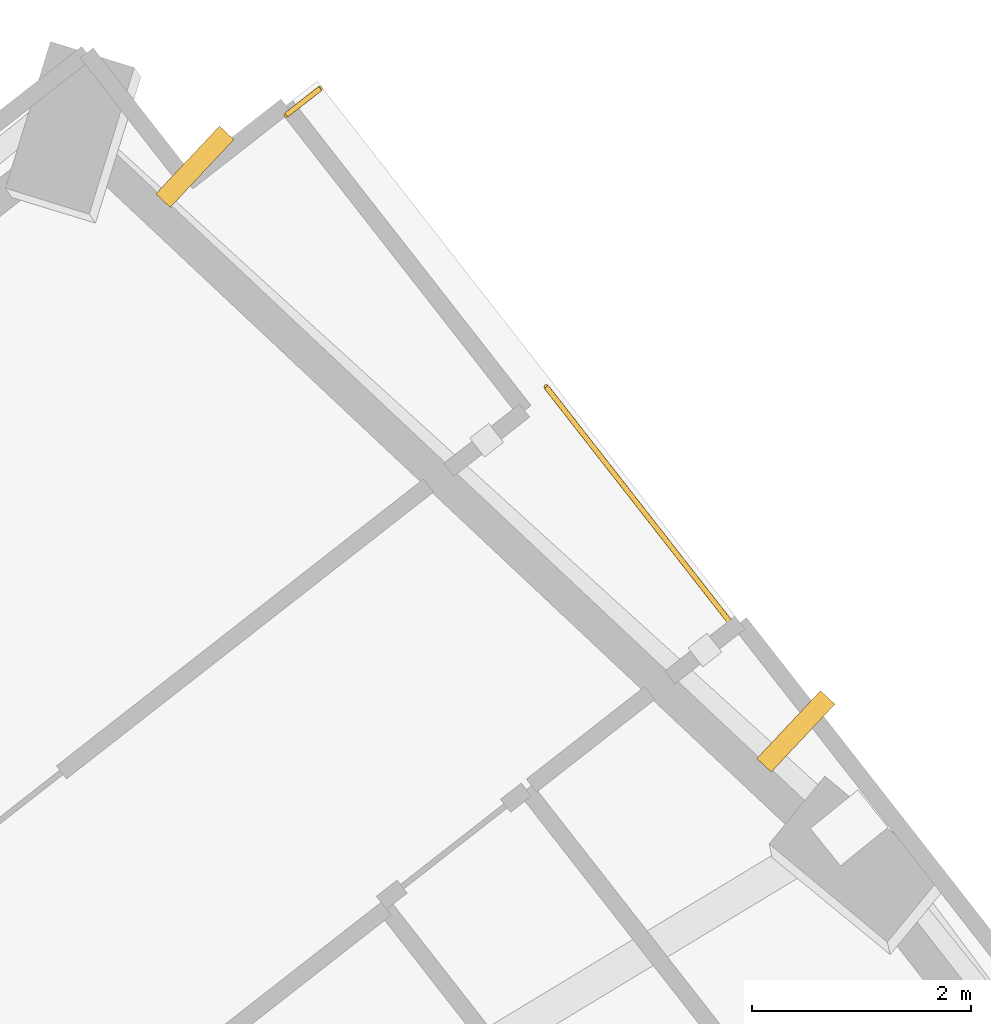
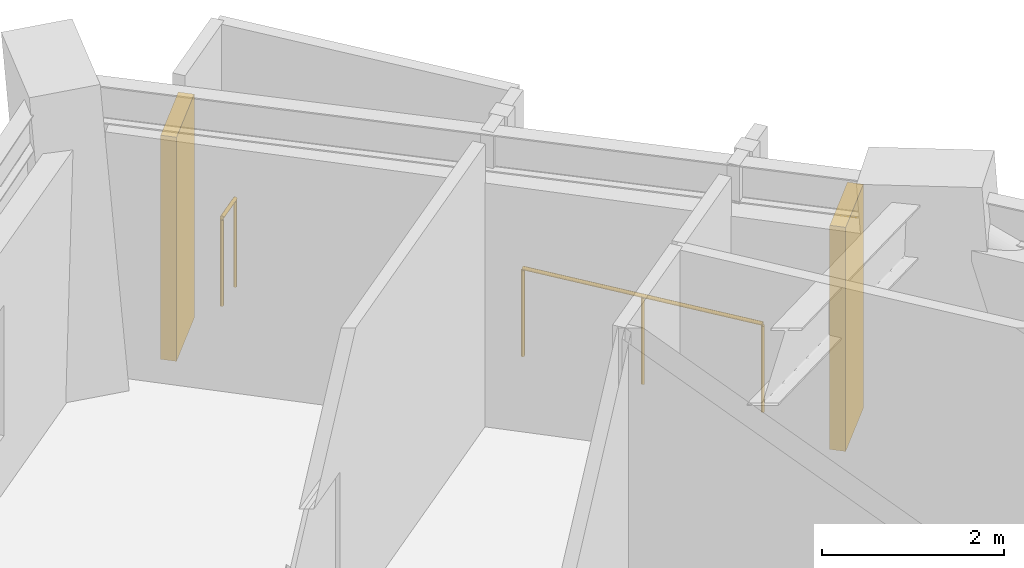
# One storey, part 14 of 14: 2 railings, 2 shading devices.
"""IFC4 building model written with IfcOpenShell, lengths in metres."""

from ifc_helpers import new_model, si_unit, direction, frame, origin, origin_2d, place, context, subcontext, project, spatial, rectangle, circle, extrude, material, layer, layer_set, type_object, element, save


model = new_model("IFC4")

# Units and contexts
model_context = context("Model", 3, precision=1e-05, world=origin(), true_north=direction((0.0, 1.0)))
body_context = subcontext(model_context, "Body", "Model", "MODEL_VIEW")
ifc_project = project(units=[si_unit("LENGTHUNIT", "METRE"), si_unit("AREAUNIT", "SQUARE_METRE"), si_unit("VOLUMEUNIT", "CUBIC_METRE"), si_unit("PLANEANGLEUNIT", "RADIAN"), si_unit("MASSUNIT", "GRAM", prefix="KILO")], contexts=[model_context])

# Site, building, storey
site_placement = place(None, origin())
site = spatial("IfcSite", under=ifc_project, at=site_placement, CompositionType="ELEMENT")
building_placement = place(site_placement, origin())
building = spatial("IfcBuilding", under=site, at=building_placement, Name="Gaonmaruhae Medical Tower", CompositionType="ELEMENT")
storey_placement = place(building_placement, frame((0.0, 0.0, 185.800048828125)))
storey = spatial("IfcBuildingStorey", under=building, at=storey_placement, Name="L44", CompositionType="ELEMENT", Elevation=185.800048828125)

# Railings
ifc_material_1 = material(Name="Stainless steel 316L and laminated safety glass", Category="steel")
ifc_layer = layer(ifc_material_1, 0.080078125)
ifc_layer_set = layer_set([ifc_layer], Name="Stainless steel 316L and laminated safety glass")
railing_type = type_object("IfcRailingType", Name="GD-120 Outdoor Terrace Safety Glass & Steel Balustrade", PredefinedType="BALUSTRADE", material=ifc_layer_set)
railing_1_placement = place(storey_placement, frame((53.015380859375, 36.961181640625, 0.0)))
element("IfcRailing", 1, at=railing_1_placement, inside=storey, type_object=railing_type, Name="L44 Perimeter Slab Edge Safety Balustrade 01", PredefinedType="BALUSTRADE", context=body_context, shape_type="SweptSolid", body=[
    extrude(circle(Radius=0.02392578125, at=origin_2d()), frame((0.0, 0.0, 1.17578125), z_axis=(0.787845505529, 0.615872924732, 0.0), x_axis=(-0.615872924732, 0.787845505529, 0.0)), (0.0, 0.0, 1.0), 0.393310546875),
    extrude(circle(Radius=0.02099609375, at=origin_2d()), origin(), (0.0, 0.0, 1.0), 1.15185546875),
    extrude(circle(Radius=0.02099609375, at=origin_2d()), frame((0.309814453125, 0.2421875, 0.0)), (0.0, 0.0, 1.0), 1.15185546875),
])
railing_2_placement = place(storey_placement, frame((55.392333984375, 34.4765625, 0.0)))
element("IfcRailing", 2, at=railing_2_placement, inside=storey, type_object=railing_type, Name="L44 Perimeter Slab Edge Safety Balustrade 02", PredefinedType="BALUSTRADE", context=body_context, shape_type="SweptSolid", body=[
    extrude(circle(Radius=0.02392578125, at=origin_2d()), frame((0.0, 0.0, 1.17578125), z_axis=(0.615654056339, -0.788016549898, 0.0), x_axis=(0.788016549898, 0.615654056339, 0.0)), (0.0, 0.0, 1.0), 2.838623046875),
    extrude(circle(Radius=0.02099609375, at=origin_2d()), origin(), (0.0, 0.0, 1.0), 1.15185546875),
    extrude(circle(Radius=0.02099609375, at=origin_2d()), frame((0.873779296875, -1.118408203125, 0.0)), (0.0, 0.0, 1.0), 1.15185546875),
    extrude(circle(Radius=0.02099609375, at=origin_2d()), frame((1.74755859375, -2.23681640625, 0.0)), (0.0, 0.0, 1.0), 1.15185546875),
])

# Shading devices
ifc_material_2 = material(Name="Pigmented coral precast concrete C45/55", Category="concrete")
shading_device_type = type_object("IfcShadingDeviceType", Name="SD-FIN1 Tower Vertical Coral Precast Shading Fin", PredefinedType="USERDEFINED", material=ifc_material_2)
for number, where, z_axis, x_axis, name in (
    (3, (52.179931640625, 36.488525390625, 0.132568359375), (0.0, 0.0, 1.0), (0.72884914031, -0.684674324529, 0.0), "L44 Vertical Coral Precast Shading Fin E02"),
    (4, (57.673828125, 31.32763671875, 0.132568359375), (0.0, 0.0, 1.0), (0.72884914031, -0.684674324529, 0.0), "L44 Vertical Coral Precast Shading Fin E02B"),
):
    element("IfcShadingDevice", number, at=place(storey_placement, frame(where, z_axis=z_axis, x_axis=x_axis)), inside=storey, type_object=shading_device_type, Name=name, ObjectType="FIN", PredefinedType="USERDEFINED", context=body_context, shape_type="SweptSolid", body=[
        extrude(rectangle(XDim=0.179931640625, YDim=0.85009765625, at=origin_2d()), origin(), (0.0, 0.0, 1.0), 3.0),
    ])

save(model, "model.ifc")
